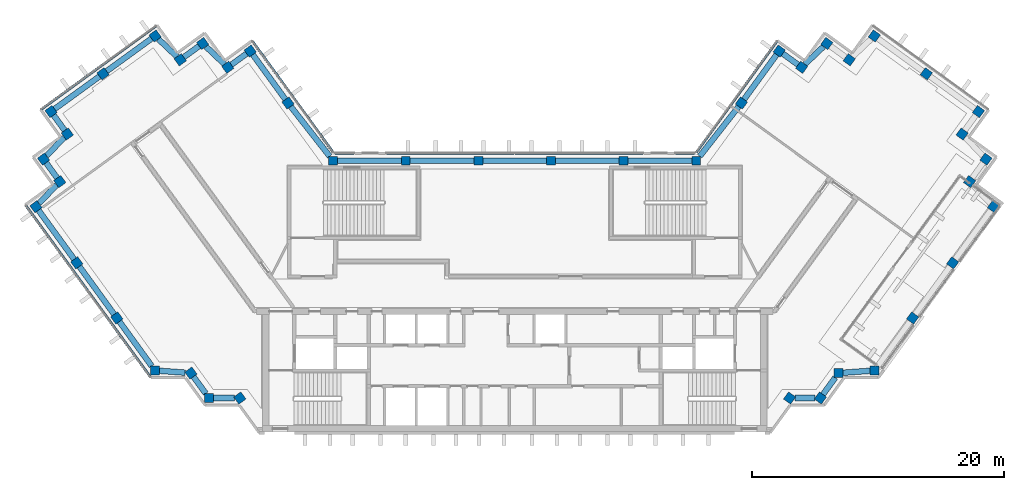
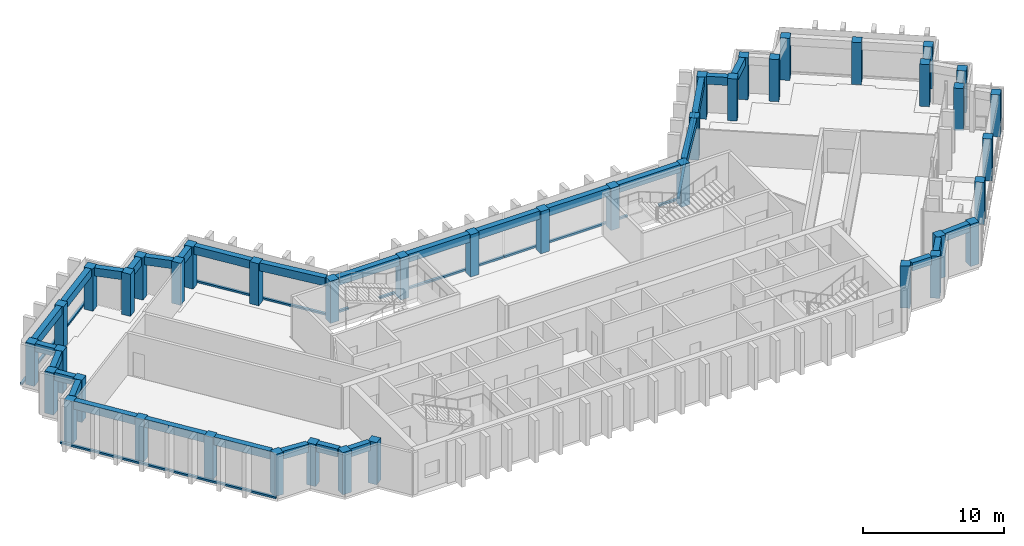
"""IFC4 building model written with IfcOpenShell, lengths in metres."""

import ifcopenshell
import ifcopenshell.guid

model = None  # the IFC model being written
_history = None  # IfcOwnerHistory: only IFC2X3 demands one
_inside = {}  # id of a spatial element -> (the spatial element, [elements in it])
_under = {}  # id of a project, library or spatial element -> (it, [spatial elements below it])
_declared = {}  # id of a project -> (the project, [libraries it declares])
_typed = {}  # id of a type object -> (the type object, [elements of that type])
_made_of = {}  # id of a material, layer set ... -> (it, [elements and type objects made of it])


def new_model(schema):
    """Start an empty IFC model of exactly this schema.

    Asked for "IFC4X3", IfcOpenShell would pick the latest addendum, in which some entities
    have other attributes; the version numbers below select the first issue.
    IFC2X3 requires an IfcOwnerHistory on every rooted entity: one is made here for all.
    """
    global model, _history
    if schema == "IFC4X3":
        model = ifcopenshell.file(schema_version=(4, 3, 0, 0))
    else:
        model = ifcopenshell.file(schema=schema)
    _inside.clear()
    _under.clear()
    _declared.clear()
    _typed.clear()
    _made_of.clear()
    _history = None
    if model.schema == "IFC2X3":
        org = make("IfcOrganization", Name="unknown")
        user = make(
            "IfcPersonAndOrganization",
            ThePerson=make("IfcPerson", FamilyName="unknown"),
            TheOrganization=org,
        )
        app = make(
            "IfcApplication",
            ApplicationDeveloper=org,
            Version="unknown",
            ApplicationFullName="unknown",
            ApplicationIdentifier="unknown",
        )
        _history = make(
            "IfcOwnerHistory",
            OwningUser=user,
            OwningApplication=app,
            ChangeAction="ADDED",
            CreationDate=0,
        )
    return model


def make(cls, **values):
    """One entity of the class cls with the attributes given. An attribute that is None is left unset."""
    return model.create_entity(
        cls, **{name: value for name, value in values.items() if value is not None}
    )


def rooted(cls, **values):
    """An entity with a GlobalId (a new one), such as an element, a storey or a relation."""
    return make(cls, GlobalId=ifcopenshell.guid.new(), OwnerHistory=_history, **values)


def si_unit(unit_type, name, prefix=None):
    """IfcSIUnit, for example si_unit("LENGTHUNIT", "METRE", prefix="MILLI")."""
    return make("IfcSIUnit", UnitType=unit_type, Prefix=prefix, Name=name)


def assignment(units):
    """IfcUnitAssignment: the units of a project."""
    return None if units is None else make("IfcUnitAssignment", Units=units)


def point(xyz):
    """IfcCartesianPoint."""
    return None if xyz is None else make("IfcCartesianPoint", Coordinates=xyz)


def direction(xyz):
    """IfcDirection."""
    return None if xyz is None else make("IfcDirection", DirectionRatios=xyz)


def frame(location, z_axis=None, x_axis=None):
    """IfcAxis2Placement3D, a coordinate frame: its origin and axes. An axis left out is left unset."""
    return make(
        "IfcAxis2Placement3D",
        Location=point(location),
        Axis=direction(z_axis),
        RefDirection=direction(x_axis),
    )


def frame_2d(location, x_axis=None):
    """IfcAxis2Placement2D, a coordinate frame in the plane: its origin and x axis."""
    return make(
        "IfcAxis2Placement2D", Location=point(location), RefDirection=direction(x_axis)
    )


def origin():
    """The frame at (0, 0, 0) with its axes left unset."""
    return frame((0.0, 0.0, 0.0))


def origin_2d():
    """The frame at (0, 0) in the plane with its x axis left unset."""
    return frame_2d((0.0, 0.0))


def place(relative_to, where):
    """IfcLocalPlacement: puts the frame where relative to a parent placement (None: the world)."""
    return make(
        "IfcLocalPlacement", PlacementRelTo=relative_to, RelativePlacement=where
    )


def context(
    kind, dimensions, precision=None, world=None, true_north=None, identifier=None
):
    """IfcGeometricRepresentationContext, for example the 3D "Model" context."""
    return make(
        "IfcGeometricRepresentationContext",
        ContextIdentifier=identifier,
        ContextType=kind,
        CoordinateSpaceDimension=dimensions,
        Precision=precision,
        WorldCoordinateSystem=world,
        TrueNorth=true_north,
    )


def subcontext(parent, identifier, kind, view, scale=None):
    """IfcGeometricRepresentationSubContext, for example "Body" below "Model"."""
    return make(
        "IfcGeometricRepresentationSubContext",
        ContextIdentifier=identifier,
        ContextType=kind,
        ParentContext=parent,
        TargetScale=scale,
        TargetView=view,
    )


def project(units=None, contexts=None):
    """IfcProject with its units and contexts."""
    return rooted(
        "IfcProject",
        Name="project",
        RepresentationContexts=contexts,
        UnitsInContext=assignment(units),
    )


def spatial(cls, under=None, at=None, **own):
    """A site, building, storey or space (cls), placed at a placement, below another one or the project."""
    s = rooted(cls, ObjectPlacement=at, **own)
    if under is not None:
        _under.setdefault(under.id(), (under, []))[1].append(s)
    return s


def profile(cls, at=None, kind="AREA", **sizes):
    """A parametric profile (cls). Its sizes go by their IFC names, for example OverallWidth=200.0."""
    return make(cls, ProfileType=kind, Position=at, **sizes)


def rectangle(**sizes):
    """IfcRectangleProfileDef."""
    return profile("IfcRectangleProfileDef", **sizes)


def extrude(swept, where, along, depth):
    """IfcExtrudedAreaSolid: the profile swept, set in the frame where, extruded along a direction by depth."""
    return make(
        "IfcExtrudedAreaSolid",
        SweptArea=swept,
        Position=where,
        ExtrudedDirection=direction(along),
        Depth=depth,
    )


def shape(context_of_items, identifier, shape_type, items):
    """IfcShapeRepresentation: the items that make up one representation, for example the "Body"."""
    return make(
        "IfcShapeRepresentation",
        ContextOfItems=context_of_items,
        RepresentationIdentifier=identifier,
        RepresentationType=shape_type,
        Items=items,
    )


def material(Name=None, Category=None):
    """IfcMaterial."""
    return make("IfcMaterial", Name=Name, Category=Category)


def material_profile(
    of_material, cross_section, Name=None, Category=None, Priority=None
):
    """IfcMaterialProfile: a cross section and its material."""
    return make(
        "IfcMaterialProfile",
        Name=Name,
        Material=of_material,
        Profile=cross_section,
        Priority=Priority,
        Category=Category,
    )


def profile_set(profiles, Name=None, composite=None):
    """IfcMaterialProfileSet."""
    return make(
        "IfcMaterialProfileSet",
        Name=Name,
        MaterialProfiles=profiles,
        CompositeProfile=composite,
    )


def made_of(thing, what):
    """Note that an element or type object is made of a material, layer set ...; save() writes the relation."""
    if what is not None:
        _made_of.setdefault(what.id(), (what, []))[1].append(thing)
    return thing


def type_object(cls, material=None, **own):
    """A type object (cls), such as IfcWallType, which elements share."""
    return made_of(rooted(cls, **own), material)


def element(
    cls,
    number,
    at=None,
    inside=None,
    cuts=None,
    type_object=None,
    material=None,
    context=None,
    identifier="Body",
    shape_type=None,
    held_by="IfcProductDefinitionShape",
    body=None,
    shapes=None,
    **own,
):
    """One element of the class cls, such as IfcWall. Its Tag is "e" and its number.

    at: its placement. inside: the storey or other place that contains it. cuts: it is an
    opening in that element (IfcRelVoidsElement). A single representation is given by context,
    identifier, shape_type and body (its items); several are given by shapes. held_by: the class
    of the entity that holds the representations. save() writes the other relations.
    """
    e = rooted(cls, Tag="e%d" % number, ObjectPlacement=at, **own)
    if body is not None:
        shapes = [shape(context, identifier, shape_type, body)]
    if shapes is not None:
        e.Representation = make(held_by, Representations=shapes)
    if inside is not None:
        _inside.setdefault(inside.id(), (inside, []))[1].append(e)
    if cuts is not None:
        rooted(
            "IfcRelVoidsElement", RelatingBuildingElement=cuts, RelatedOpeningElement=e
        )
    if type_object is not None:
        _typed.setdefault(type_object.id(), (type_object, []))[1].append(e)
    return made_of(e, material)


def aggregate(whole, parts):
    """IfcRelAggregates: a whole, such as a stair, and the parts it consists of."""
    return rooted("IfcRelAggregates", RelatingObject=whole, RelatedObjects=parts)


def save(model, path):
    """Write the relations noted so far, then the file.

    IfcRelAggregates (storeys below a building ...), IfcRelContainedInSpatialStructure (elements
    in a storey), IfcRelDefinesByType, IfcRelAssociatesMaterial and IfcRelDeclares: one each for
    every whole, place, type object, material and project.
    """
    for whole, parts in _under.values():
        aggregate(whole, parts)
    for where, things in _inside.values():
        rooted(
            "IfcRelContainedInSpatialStructure",
            RelatedElements=things,
            RelatingStructure=where,
        )
    for kind, things in _typed.values():
        rooted("IfcRelDefinesByType", RelatedObjects=things, RelatingType=kind)
    for what, things in _made_of.values():
        rooted("IfcRelAssociatesMaterial", RelatedObjects=things, RelatingMaterial=what)
    for by, libraries in _declared.values():
        rooted("IfcRelDeclares", RelatingContext=by, RelatedDefinitions=libraries)
    model.write(path)


model = new_model("IFC4")

# Units and contexts
model_context = context("Model", 3, precision=1e-05, world=origin(), true_north=direction((0.0, 1.0)))
body_context = subcontext(model_context, "Body", "Model", "MODEL_VIEW")
ifc_project = project(units=[si_unit("LENGTHUNIT", "METRE"), si_unit("AREAUNIT", "SQUARE_METRE"), si_unit("VOLUMEUNIT", "CUBIC_METRE"), si_unit("PLANEANGLEUNIT", "RADIAN"), si_unit("MASSUNIT", "GRAM", prefix="KILO")], contexts=[model_context])

# Site, building, storey
site_placement = place(None, origin())
site = spatial("IfcSite", under=ifc_project, at=site_placement, CompositionType="ELEMENT")
building_placement = place(site_placement, origin())
building = spatial("IfcBuilding", under=site, at=building_placement, Name="Quipu Civic Tower", CompositionType="ELEMENT")
storey_1_placement = place(building_placement, frame((0.0, 0.0, 315.0)))
storey_1 = spatial("IfcBuildingStorey", under=building, at=storey_1_placement, Name="L73", CompositionType="ELEMENT", Elevation=315.0)

# Columns
ifc_material_1 = material(Name="Concrete C40/50", Category="concrete")
ifc_material_profile_1 = material_profile(ifc_material_1, rectangle(XDim=0.699951171875, YDim=0.699951171875, at=origin_2d()), Name="RC700x700")
ifc_profile_set_1 = profile_set([ifc_material_profile_1], Name="Concrete C40/50")
column_type = type_object("IfcColumnType", Name="Perimeter column RC 700x700 C40/50", PredefinedType="COLUMN", material=ifc_profile_set_1)
for number, where, z_axis, x_axis, name in (
    (1, (-17.9736328125, 15.074951171875, 0.0), (0.0, 0.0, 1.0), (-0.587785252292, 0.809016994375, 0.0), "Column L73 W-IN-01"),
    (2, (-20.969970703125, 19.195068359375, 0.0), (0.0, 0.0, 1.0), (-0.587785252292, 0.809016994375, 0.0), "Column L73 T-Wi.0-W22"),
    (3, (-22.749267578125, 17.904296875, 0.0), (0.0, 0.0, 1.0), (-0.587785252292, 0.809016994375, 0.0), "Column L73 T-Wi.1-W22"),
    (4, (-24.739990234375, 19.794921875, 0.0), (0.0, 0.0, 1.0), (-0.587785252292, 0.809016994375, 0.0), "Column L73 T-Wi.2-W22"),
    (5, (-26.51904296875, 18.50048828125, 0.0), (0.0, 0.0, 1.0), (-0.587785252292, 0.809016994375, 0.0), "Column L73 T-Wi.3-W22"),
    (6, (-28.510009765625, 20.389892578125, 0.0), (0.0, 0.0, 1.0), (-0.809016994375, -0.587785252292, 0.0), "Column L73 T-Wi.4-W22"),
    (7, (-32.636962890625, 17.39306640625, 0.0), (0.0, 0.0, 1.0), (-0.809016994375, -0.587785252292, 0.0), "Column L73 TIP-W-01-W22"),
    (8, (-36.764892578125, 14.39501953125, 0.0), (0.0, 0.0, 1.0), (0.587785252292, -0.809016994375, 0.0), "Column L73 T-Wo.0-W22"),
    (9, (-35.470703125, 12.616455078125, 0.0), (0.0, 0.0, 1.0), (-0.809016994375, -0.587785252292, 0.0), "Column L73 T-Wo.1-W22"),
    (10, (-37.360107421875, 10.625, 0.0), (0.0, 0.0, 1.0), (0.587785252292, -0.809016994375, 0.0), "Column L73 T-Wo.2-W22"),
    (11, (-36.068115234375, 8.843994140625, 0.0), (0.0, 0.0, 1.0), (0.587785252292, -0.809016994375, 0.0), "Column L73 T-Wo.3-W22"),
    (12, (-37.9599609375, 6.85498046875, 0.0), (0.0, 0.0, 1.0), (0.587785252292, -0.809016994375, 0.0), "Column L73 T-Wo.4-W22"),
    (13, (-34.722412109375, 2.39990234375, 0.0), (0.0, 0.0, 1.0), (0.587785252292, -0.809016994375, 0.0), "Column L73 W-OUT-02"),
    (14, (-31.54833984375, -1.96875, 0.0), (0.0, 0.0, 1.0), (0.587785252292, -0.809016994375, 0.0), "Column L73 W-OUT-01"),
    (15, (-28.52490234375, -6.1298828125, 0.0), (0.0, 0.0, 1.0), (1.0, 0.0, 0.0), "Column L73 J-Wo.0"),
    (16, (-25.67431640625, -6.3369140625, 0.0), (0.0, 0.0, 1.0), (0.587785252292, -0.809016994375, 0.0), "Column L73 J-Wo.1"),
    (17, (-24.235107421875, -8.31494140625, 0.0), (0.0, 0.0, 1.0), (1.0, 0.0, 0.0), "Column L73 J-Wo.2"),
    (18, (-21.791748046875, -8.31494140625, 0.0), (0.0, 0.0, 1.0), (0.587785252292, -0.809016994375, 0.0), "Column L73 J-Wo.3"),
    (19, (21.791748046875, -8.31494140625, 0.0), (0.0, 0.0, 1.0), (0.587785252292, 0.809016994375, 0.0), "Column L73 J-Eo.1"),
    (20, (24.235107421875, -8.31494140625, 0.0), (0.0, 0.0, 1.0), (0.587785252292, 0.809016994375, 0.0), "Column L73 J-Eo.2"),
    (21, (25.67431640625, -6.3369140625, 0.0), (0.0, 0.0, 1.0), (1.0, 0.0, 0.0), "Column L73 J-Eo.3"),
    (22, (28.52490234375, -6.1298828125, 0.0), (0.0, 0.0, 1.0), (1.0, 0.0, 0.0), "Column L73 J-Eo.4"),
    (23, (31.54833984375, -1.96875, 0.0), (0.0, 0.0, 1.0), (0.587785252292, 0.809016994375, 0.0), "Column L73 E-OUT-01"),
    (24, (34.722412109375, 2.39990234375, 0.0), (0.0, 0.0, 1.0), (0.587785252292, 0.809016994375, 0.0), "Column L73 E-OUT-02"),
    (25, (37.9599609375, 6.85498046875, 0.0), (0.0, 0.0, 1.0), (0.587785252292, 0.809016994375, 0.0), "Column L73 T-Eo.0-E22"),
    (26, (36.068115234375, 8.843994140625, 0.0), (0.0, 0.0, 1.0), (0.587785252292, 0.809016994375, 0.0), "Column L73 T-Eo.1-E22"),
    (27, (37.360107421875, 10.625, 0.0), (0.0, 0.0, 1.0), (0.587785252292, 0.809016994375, 0.0), "Column L73 T-Eo.2-E22"),
    (28, (35.470703125, 12.616455078125, 0.0), (0.0, 0.0, 1.0), (-0.809016994375, 0.587785252292, 0.0), "Column L73 T-Eo.3-E22"),
    (29, (36.764892578125, 14.39501953125, 0.0), (0.0, 0.0, 1.0), (-0.809016994375, 0.587785252292, 0.0), "Column L73 T-Eo.4-E22"),
    (30, (32.636962890625, 17.39306640625, 0.0), (0.0, 0.0, 1.0), (-0.809016994375, 0.587785252292, 0.0), "Column L73 TIP-E-01-E22"),
    (31, (28.510009765625, 20.389892578125, 0.0), (0.0, 0.0, 1.0), (-0.587785252292, -0.809016994375, 0.0), "Column L73 T-Ei.0-E22"),
    (32, (26.51904296875, 18.50048828125, 0.0), (0.0, 0.0, 1.0), (-0.809016994375, 0.587785252292, 0.0), "Column L73 T-Ei.1-E22"),
    (33, (24.739990234375, 19.794921875, 0.0), (0.0, 0.0, 1.0), (-0.587785252292, -0.809016994375, 0.0), "Column L73 T-Ei.2-E22"),
    (34, (22.749267578125, 17.904296875, 0.0), (0.0, 0.0, 1.0), (-0.587785252292, -0.809016994375, 0.0), "Column L73 T-Ei.3-E22"),
    (35, (20.969970703125, 19.195068359375, 0.0), (0.0, 0.0, 1.0), (-0.587785252292, -0.809016994375, 0.0), "Column L73 T-Ei.4-E22"),
    (36, (17.9736328125, 15.074951171875, 0.0), (0.0, 0.0, 1.0), (-0.587785252292, -0.809016994375, 0.0), "Column L73 E-IN-01"),
    (37, (14.395263671875, 10.5, 0.0), (0.0, 0.0, 1.0), (-1.0, 0.0, 0.0), "Column L73 J-Ei.0"),
    (38, (8.63720703125, 10.5, 0.0), (0.0, 0.0, 1.0), (-1.0, 0.0, 0.0), "Column L73 FRONT-01"),
    (39, (2.87890625, 10.5, 0.0), (0.0, 0.0, 1.0), (-1.0, 0.0, 0.0), "Column L73 FRONT-02"),
    (40, (-2.87890625, 10.5, 0.0), (0.0, 0.0, 1.0), (-1.0, 0.0, 0.0), "Column L73 FRONT-03"),
    (41, (-8.63720703125, 10.5, 0.0), (0.0, 0.0, 1.0), (-1.0, 0.0, 0.0), "Column L73 FRONT-04"),
    (42, (-14.395263671875, 10.5, 0.0), (0.0, 0.0, 1.0), (-1.0, 0.0, 0.0), "Column L73 J-Wi.0"),
):
    element("IfcColumn", number, at=place(storey_1_placement, frame(where, z_axis=z_axis, x_axis=x_axis)), inside=storey_1, type_object=column_type, Name=name, PredefinedType="COLUMN", context=body_context, shape_type="SweptSolid", body=[
        extrude(rectangle(XDim=0.699951171875, YDim=0.699951171875, at=origin_2d()), origin(), (0.0, 0.0, 1.0), 3.64990234375),
    ])

# Beams
ifc_material_2 = material(Name="Concrete C50/60", Category="concrete")
ifc_material_profile_2 = material_profile(ifc_material_2, rectangle(XDim=0.449951171875, YDim=0.699951171875, at=origin_2d()), Name="RC450x700")
ifc_profile_set_2 = profile_set([ifc_material_profile_2], Name="Concrete C50/60")
beam_type = type_object("IfcBeamType", Name="Spandrel beam RC 450x700 C50/60", PredefinedType="SPANDREL", material=ifc_profile_set_2)
beam_1_placement = place(storey_1_placement, frame((-18.179443359375, 15.358154296875, 3.300048828125), z_axis=(-0.588201428764, 0.808714460857, 0.0), x_axis=(-0.808714460857, -0.588201428764, 0.0)))
element("IfcBeam", 43, at=beam_1_placement, inside=storey_1, type_object=beam_type, Name="Spandrel beam L73 W-IN-01 to T-Wi.0-W22", PredefinedType="SPANDREL", context=body_context, shape_type="SweptSolid", body=[
    extrude(rectangle(XDim=0.449951171875, YDim=0.699951171875, at=origin_2d()), origin(), (0.0, 0.0, 1.0), 4.394287109375),
])
beam_2_placement = place(storey_1_placement, frame((-21.25341796875, 18.989501953125, 3.300048828125), z_axis=(-0.809461336076, -0.587173181776, 0.0), x_axis=(0.587173181776, -0.809461336076, 0.0)))
element("IfcBeam", 44, at=beam_2_placement, inside=storey_1, type_object=beam_type, Name="Spandrel beam L73 T-Wi.0-W22 to T-Wi.1-W22", PredefinedType="SPANDREL", context=body_context, shape_type="SweptSolid", body=[
    extrude(rectangle(XDim=0.449951171875, YDim=0.699951171875, at=origin_2d()), origin(), (0.0, 0.0, 1.0), 1.498046875),
])
beam_3_placement = place(storey_1_placement, frame((-23.00732421875, 18.1494140625, 3.300048828125), z_axis=(-0.72511931772, 0.6886232461, 0.0), x_axis=(-0.6886232461, -0.72511931772, 0.0)))
element("IfcBeam", 45, at=beam_3_placement, inside=storey_1, type_object=beam_type, Name="Spandrel beam L73 T-Wi.1-W22 to T-Wi.2-W22", PredefinedType="SPANDREL", context=body_context, shape_type="SweptSolid", body=[
    extrude(rectangle(XDim=0.449951171875, YDim=0.699951171875, at=origin_2d()), origin(), (0.0, 0.0, 1.0), 2.03369140625),
])
beam_4_placement = place(storey_1_placement, frame((-25.02294921875, 19.589111328125, 3.300048828125), z_axis=(-0.808644589435, -0.588297482553, 0.0), x_axis=(0.588297482553, -0.808644589435, 0.0)))
element("IfcBeam", 46, at=beam_4_placement, inside=storey_1, type_object=beam_type, Name="Spandrel beam L73 T-Wi.2-W22 to T-Wi.3-W22", PredefinedType="SPANDREL", context=body_context, shape_type="SweptSolid", body=[
    extrude(rectangle(XDim=0.449951171875, YDim=0.699951171875, at=origin_2d()), origin(), (0.0, 0.0, 1.0), 1.500244140625),
])
beam_5_placement = place(storey_1_placement, frame((-26.777099609375, 18.74560546875, 3.300048828125), z_axis=(-0.725359138958, 0.688370626574, 0.0), x_axis=(-0.688370626574, -0.725359138958, 0.0)))
element("IfcBeam", 47, at=beam_5_placement, inside=storey_1, type_object=beam_type, Name="Spandrel beam L73 T-Wi.3-W22 to T-Wi.4-W22", PredefinedType="SPANDREL", context=body_context, shape_type="SweptSolid", body=[
    extrude(rectangle(XDim=0.449951171875, YDim=0.699951171875, at=origin_2d()), origin(), (0.0, 0.0, 1.0), 2.032958984375),
])
beam_6_placement = place(storey_1_placement, frame((-28.793212890625, 20.184326171875, 3.300048828125), z_axis=(-0.809146152767, -0.587607439931, 0.0), x_axis=(0.587607439931, -0.809146152767, 0.0)))
element("IfcBeam", 48, at=beam_6_placement, inside=storey_1, type_object=beam_type, Name="Spandrel beam L73 T-Wi.4-W22 to TIP-W-01-W22", PredefinedType="SPANDREL", context=body_context, shape_type="SweptSolid", body=[
    extrude(rectangle(XDim=0.449951171875, YDim=0.699951171875, at=origin_2d()), origin(), (0.0, 0.0, 1.0), 4.400390625),
])
beam_7_placement = place(storey_1_placement, frame((-32.920166015625, 17.187255859375, 3.300048828125), z_axis=(-0.809117270763, -0.587647208921, 0.0), x_axis=(0.587647208921, -0.809117270763, 0.0)))
element("IfcBeam", 49, at=beam_7_placement, inside=storey_1, type_object=beam_type, Name="Spandrel beam L73 TIP-W-01-W22 to T-Wo.0-W22", PredefinedType="SPANDREL", context=body_context, shape_type="SweptSolid", body=[
    extrude(rectangle(XDim=0.449951171875, YDim=0.699951171875, at=origin_2d()), origin(), (0.0, 0.0, 1.0), 4.40185546875),
])
beam_8_placement = place(storey_1_placement, frame((-36.55908203125, 14.112060546875, 3.300048828125), z_axis=(0.588345920092, -0.808609348394, 0.0), x_axis=(0.808609348394, 0.588345920092, 0.0)))
element("IfcBeam", 50, at=beam_8_placement, inside=storey_1, type_object=beam_type, Name="Spandrel beam L73 T-Wo.0-W22 to T-Wo.1-W22", PredefinedType="SPANDREL", context=body_context, shape_type="SweptSolid", body=[
    extrude(rectangle(XDim=0.449951171875, YDim=0.699951171875, at=origin_2d()), origin(), (0.0, 0.0, 1.0), 1.499755859375),
])
beam_9_placement = place(storey_1_placement, frame((-35.7158203125, 12.358154296875, 3.300048828125), z_axis=(-0.688247466856, -0.725475998477, 0.0), x_axis=(0.725475998477, -0.688247466856, 0.0)))
element("IfcBeam", 51, at=beam_9_placement, inside=storey_1, type_object=beam_type, Name="Spandrel beam L73 T-Wo.1-W22 to T-Wo.2-W22", PredefinedType="SPANDREL", context=body_context, shape_type="SweptSolid", body=[
    extrude(rectangle(XDim=0.449951171875, YDim=0.699951171875, at=origin_2d()), origin(), (0.0, 0.0, 1.0), 2.032958984375),
])
beam_10_placement = place(storey_1_placement, frame((-37.154541015625, 10.341796875, 3.300048828125), z_axis=(0.587164895097, -0.809467347066, 0.0), x_axis=(0.809467347066, 0.587164895097, 0.0)))
element("IfcBeam", 52, at=beam_10_placement, inside=storey_1, type_object=beam_type, Name="Spandrel beam L73 T-Wo.2-W22 to T-Wo.3-W22", PredefinedType="SPANDREL", context=body_context, shape_type="SweptSolid", body=[
    extrude(rectangle(XDim=0.449951171875, YDim=0.699951171875, at=origin_2d()), origin(), (0.0, 0.0, 1.0), 1.500244140625),
])
beam_11_placement = place(storey_1_placement, frame((-36.3134765625, 8.586181640625, 3.300048828125), z_axis=(-0.689175330605, -0.724594620244, 0.0), x_axis=(0.724594620244, -0.689175330605, 0.0)))
element("IfcBeam", 53, at=beam_11_placement, inside=storey_1, type_object=beam_type, Name="Spandrel beam L73 T-Wo.3-W22 to T-Wo.4-W22", PredefinedType="SPANDREL", context=body_context, shape_type="SweptSolid", body=[
    extrude(rectangle(XDim=0.449951171875, YDim=0.699951171875, at=origin_2d()), origin(), (0.0, 0.0, 1.0), 2.033447265625),
])
beam_12_placement = place(storey_1_placement, frame((-37.754150390625, 6.57177734375, 3.300048828125), z_axis=(0.587905928359, -0.808929304328, 0.0), x_axis=(0.808929304328, 0.587905928359, 0.0)))
element("IfcBeam", 54, at=beam_12_placement, inside=storey_1, type_object=beam_type, Name="Spandrel beam L73 T-Wo.4-W22 to W-OUT-02", PredefinedType="SPANDREL", context=body_context, shape_type="SweptSolid", body=[
    extrude(rectangle(XDim=0.449951171875, YDim=0.699951171875, at=origin_2d()), origin(), (0.0, 0.0, 1.0), 4.80712890625),
])
beam_13_placement = place(storey_1_placement, frame((-34.5166015625, 2.116943359375, 3.300048828125), z_axis=(0.587788656305, -0.809014521204, 0.0), x_axis=(0.809014521204, 0.587788656305, 0.0)))
element("IfcBeam", 55, at=beam_13_placement, inside=storey_1, type_object=beam_type, Name="Spandrel beam L73 W-OUT-02 to W-OUT-01", PredefinedType="SPANDREL", context=body_context, shape_type="SweptSolid", body=[
    extrude(rectangle(XDim=0.449951171875, YDim=0.699951171875, at=origin_2d()), origin(), (0.0, 0.0, 1.0), 4.7001953125),
])
beam_14_placement = place(storey_1_placement, frame((-31.342529296875, -2.251953125, 3.300048828125), z_axis=(0.58777550284, -0.809024077677, 0.0), x_axis=(0.809024077677, 0.58777550284, 0.0)))
element("IfcBeam", 56, at=beam_14_placement, inside=storey_1, type_object=beam_type, Name="Spandrel beam L73 W-OUT-01 to J-Wo.0", PredefinedType="SPANDREL", context=body_context, shape_type="SweptSolid", body=[
    extrude(rectangle(XDim=0.449951171875, YDim=0.699951171875, at=origin_2d()), origin(), (0.0, 0.0, 1.0), 4.36083984375),
])
beam_15_placement = place(storey_1_placement, frame((-28.175048828125, -6.155517578125, 3.300048828125), z_axis=(0.99737333325, -0.072432272649, 0.0), x_axis=(0.072432272649, 0.99737333325, 0.0)))
element("IfcBeam", 57, at=beam_15_placement, inside=storey_1, type_object=beam_type, Name="Spandrel beam L73 J-Wo.0 to J-Wo.1", PredefinedType="SPANDREL", context=body_context, shape_type="SweptSolid", body=[
    extrude(rectangle(XDim=0.449951171875, YDim=0.699951171875, at=origin_2d()), origin(), (0.0, 0.0, 1.0), 2.04931640625),
])
beam_16_placement = place(storey_1_placement, frame((-25.468505859375, -6.6201171875, 3.300048828125), z_axis=(0.588407300614, -0.80856468423, 0.0), x_axis=(0.80856468423, 0.588407300614, 0.0)))
element("IfcBeam", 58, at=beam_16_placement, inside=storey_1, type_object=beam_type, Name="Spandrel beam L73 J-Wo.1 to J-Wo.2", PredefinedType="SPANDREL", context=body_context, shape_type="SweptSolid", body=[
    extrude(rectangle(XDim=0.449951171875, YDim=0.699951171875, at=origin_2d()), origin(), (0.0, 0.0, 1.0), 1.663330078125),
])
beam_17_placement = place(storey_1_placement, frame((-23.885009765625, -8.31494140625, 3.300048828125), z_axis=(1.0, 0.0, 0.0), x_axis=(0.0, 1.0, 0.0)))
element("IfcBeam", 59, at=beam_17_placement, inside=storey_1, type_object=beam_type, Name="Spandrel beam L73 J-Wo.2 to J-Wo.3", PredefinedType="SPANDREL", context=body_context, shape_type="SweptSolid", body=[
    extrude(rectangle(XDim=0.449951171875, YDim=0.699951171875, at=origin_2d()), origin(), (0.0, 0.0, 1.0), 1.66064453125),
])
beam_18_placement = place(storey_1_placement, frame((22.224365234375, -8.31494140625, 3.300048828125), z_axis=(1.0, 0.0, 0.0), x_axis=(0.0, 1.0, 0.0)))
element("IfcBeam", 60, at=beam_18_placement, inside=storey_1, type_object=beam_type, Name="Spandrel beam L73 J-Eo.1 to J-Eo.2", PredefinedType="SPANDREL", context=body_context, shape_type="SweptSolid", body=[
    extrude(rectangle(XDim=0.449951171875, YDim=0.699951171875, at=origin_2d()), origin(), (0.0, 0.0, 1.0), 1.578125),
])
beam_19_placement = place(storey_1_placement, frame((24.44091796875, -8.031982421875, 3.300048828125), z_axis=(0.588407300614, 0.80856468423, 0.0), x_axis=(-0.80856468423, 0.588407300614, 0.0)))
element("IfcBeam", 61, at=beam_19_placement, inside=storey_1, type_object=beam_type, Name="Spandrel beam L73 J-Eo.2 to J-Eo.3", PredefinedType="SPANDREL", context=body_context, shape_type="SweptSolid", body=[
    extrude(rectangle(XDim=0.449951171875, YDim=0.699951171875, at=origin_2d()), origin(), (0.0, 0.0, 1.0), 1.663330078125),
])
beam_20_placement = place(storey_1_placement, frame((26.0244140625, -6.3115234375, 3.300048828125), z_axis=(0.997379352029, 0.072349347934, 0.0), x_axis=(-0.072349347934, 0.997379352029, 0.0)))
element("IfcBeam", 62, at=beam_20_placement, inside=storey_1, type_object=beam_type, Name="Spandrel beam L73 J-Eo.3 to J-Eo.4", PredefinedType="SPANDREL", context=body_context, shape_type="SweptSolid", body=[
    extrude(rectangle(XDim=0.449951171875, YDim=0.699951171875, at=origin_2d()), origin(), (0.0, 0.0, 1.0), 2.15625),
])
beam_21_placement = place(storey_1_placement, frame((24.48193359375, 19.5498046875, 3.300048828125), z_axis=(-0.72511931772, -0.6886232461, 0.0), x_axis=(0.6886232461, -0.72511931772, 0.0)))
element("IfcBeam", 63, at=beam_21_placement, inside=storey_1, type_object=beam_type, Name="Spandrel beam L73 T-Ei.2-E22 to T-Ei.3-E22", PredefinedType="SPANDREL", context=body_context, shape_type="SweptSolid", body=[
    extrude(rectangle(XDim=0.449951171875, YDim=0.699951171875, at=origin_2d()), origin(), (0.0, 0.0, 1.0), 2.03369140625),
])
beam_22_placement = place(storey_1_placement, frame((22.466064453125, 18.10986328125, 3.300048828125), z_axis=(-0.809461336076, 0.587173181776, 0.0), x_axis=(-0.587173181776, -0.809461336076, 0.0)))
element("IfcBeam", 64, at=beam_22_placement, inside=storey_1, type_object=beam_type, Name="Spandrel beam L73 T-Ei.3-E22 to T-Ei.4-E22", PredefinedType="SPANDREL", context=body_context, shape_type="SweptSolid", body=[
    extrude(rectangle(XDim=0.449951171875, YDim=0.699951171875, at=origin_2d()), origin(), (0.0, 0.0, 1.0), 1.498046875),
])
beam_23_placement = place(storey_1_placement, frame((20.76416015625, 18.911865234375, 3.300048828125), z_axis=(-0.588201428764, -0.808714460857, 0.0), x_axis=(0.808714460857, -0.588201428764, 0.0)))
element("IfcBeam", 65, at=beam_23_placement, inside=storey_1, type_object=beam_type, Name="Spandrel beam L73 T-Ei.4-E22 to E-IN-01", PredefinedType="SPANDREL", context=body_context, shape_type="SweptSolid", body=[
    extrude(rectangle(XDim=0.449951171875, YDim=0.699951171875, at=origin_2d()), origin(), (0.0, 0.0, 1.0), 4.394287109375),
])
beam_24_placement = place(storey_1_placement, frame((17.7578125, 14.799072265625, 3.300048828125), z_axis=(-0.616106034519, -0.787663223865, 0.0), x_axis=(0.787663223865, -0.616106034519, 0.0)))
element("IfcBeam", 66, at=beam_24_placement, inside=storey_1, type_object=beam_type, Name="Spandrel beam L73 E-IN-01 to J-Ei.0", PredefinedType="SPANDREL", context=body_context, shape_type="SweptSolid", body=[
    extrude(rectangle(XDim=0.449951171875, YDim=0.699951171875, at=origin_2d()), origin(), (0.0, 0.0, 1.0), 5.013427734375),
])
for number, where, z_axis, x_axis, name in (
    (67, (14.045166015625, 10.5, 3.300048828125), (-1.0, 0.0, 0.0), (0.0, -1.0, 0.0), "Spandrel beam L73 J-Ei.0 to FRONT-01"),
    (68, (8.287109375, 10.5, 3.300048828125), (-1.0, 0.0, 0.0), (0.0, -1.0, 0.0), "Spandrel beam L73 FRONT-01 to FRONT-02"),
    (69, (2.529052734375, 10.5, 3.300048828125), (-1.0, 0.0, 0.0), (0.0, -1.0, 0.0), "Spandrel beam L73 FRONT-02 to FRONT-03"),
    (70, (-3.22900390625, 10.5, 3.300048828125), (-1.0, 0.0, 0.0), (0.0, -1.0, 0.0), "Spandrel beam L73 FRONT-03 to FRONT-04"),
    (71, (-8.987060546875, 10.5, 3.300048828125), (-1.0, 0.0, 0.0), (0.0, -1.0, 0.0), "Spandrel beam L73 FRONT-04 to J-Wi.0"),
):
    element("IfcBeam", number, at=place(storey_1_placement, frame(where, z_axis=z_axis, x_axis=x_axis)), inside=storey_1, type_object=beam_type, Name=name, PredefinedType="SPANDREL", context=body_context, shape_type="SweptSolid", body=[
        extrude(rectangle(XDim=0.449951171875, YDim=0.699951171875, at=origin_2d()), origin(), (0.0, 0.0, 1.0), 5.05810546875),
    ])
beam_25_placement = place(storey_1_placement, frame((-14.6689453125, 10.85009765625, 3.300048828125), z_axis=(-0.616106034519, 0.787663223865, 0.0), x_axis=(-0.787663223865, -0.616106034519, 0.0)))
element("IfcBeam", 72, at=beam_25_placement, inside=storey_1, type_object=beam_type, Name="Spandrel beam L73 J-Wi.0 to W-IN-01", PredefinedType="SPANDREL", context=body_context, shape_type="SweptSolid", body=[
    extrude(rectangle(XDim=0.449951171875, YDim=0.699951171875, at=origin_2d()), origin(), (0.0, 0.0, 1.0), 5.013427734375),
])

# Storey
storey_2_placement = place(building_placement, frame((0.0, 0.0, 311.0)))
storey_2 = spatial("IfcBuildingStorey", under=building, at=storey_2_placement, Name="L72", CompositionType="ELEMENT", Elevation=311.0)

# Curtain wall, member
ifc_material_3 = material(Name="Insulated glass unit", Category="glass")
curtain_wall_type = type_object("IfcCurtainWallType", Name="Office curtain wall CW1", PredefinedType="NOTDEFINED", material=ifc_material_3)
curtain_wall_1_placement = place(storey_2_placement, origin())
curtain_wall_1 = element("IfcCurtainWall", 73, at=curtain_wall_1_placement, inside=storey_2, type_object=curtain_wall_type, Name="Office curtain wall CW1 L71 run 11", PredefinedType="NOTDEFINED")
ifc_material_4 = material(Name="Anodised aluminium", Category="aluminium")
ifc_material_profile_3 = material_profile(ifc_material_4, rectangle(XDim=0.199951171875, YDim=0.159912109375, at=origin_2d()), Name="RECT 200x160")
ifc_profile_set_3 = profile_set([ifc_material_profile_3], Name="Anodised aluminium")
member_type = type_object("IfcMemberType", Name="Transom CW1", PredefinedType="USERDEFINED", material=ifc_profile_set_3)
member_1_placement = place(storey_1_placement, frame((20.788818359375, 19.97021484375, 0.080078125), z_axis=(-0.587796859727, -0.809008560953, 0.0), x_axis=(0.809008560953, -0.587796859727, 0.0)))
member_1 = element("IfcMember", 74, at=member_1_placement, inside=storey_1, type_object=member_type, Name="CW1 transom 1.3", ObjectType="TRANSOM", PredefinedType="USERDEFINED", context=body_context, shape_type="SweptSolid", body=[
    extrude(rectangle(XDim=0.199951171875, YDim=0.159912109375, at=origin_2d()), origin(), (0.0, 0.0, 1.0), 10.88427734375),
])
aggregate(curtain_wall_1, [member_1])

curtain_wall_2_placement = place(storey_2_placement, origin())
curtain_wall_2 = element("IfcCurtainWall", 75, at=curtain_wall_2_placement, inside=storey_2, type_object=curtain_wall_type, Name="Office curtain wall CW1 L71 run 12", PredefinedType="NOTDEFINED")
member_2_placement = place(storey_1_placement, frame((14.26416015625, 11.10009765625, 0.080078125), z_axis=(-1.0, 0.0, 0.0), x_axis=(0.0, -1.0, 0.0)))
member_2 = element("IfcMember", 76, at=member_2_placement, inside=storey_1, type_object=member_type, Name="CW1 transom 1.3", ObjectType="TRANSOM", PredefinedType="USERDEFINED", context=body_context, shape_type="SweptSolid", body=[
    extrude(rectangle(XDim=0.199951171875, YDim=0.159912109375, at=origin_2d()), origin(), (0.0, 0.0, 1.0), 1.529052734375),
])
aggregate(curtain_wall_2, [member_2])

# Curtain wall, members
curtain_wall_3_placement = place(storey_2_placement, origin())
curtain_wall_3 = element("IfcCurtainWall", 77, at=curtain_wall_3_placement, inside=storey_2, type_object=curtain_wall_type, Name="Office curtain wall CW1 L71 run 14", PredefinedType="NOTDEFINED")
member_3_placement = place(storey_1_placement, frame((10.18359375, 11.10009765625, 0.080078125), z_axis=(-1.0, 0.0, 0.0), x_axis=(0.0, -1.0, 0.0)))
member_3 = element("IfcMember", 78, at=member_3_placement, inside=storey_1, type_object=member_type, Name="CW1 transom 1.3", ObjectType="TRANSOM", PredefinedType="USERDEFINED", context=body_context, shape_type="SweptSolid", body=[
    extrude(rectangle(XDim=0.199951171875, YDim=0.159912109375, at=origin_2d()), origin(), (0.0, 0.0, 1.0), 10.1435546875),
])
member_4_placement = place(storey_1_placement, frame((-0.0400390625, 11.10009765625, 0.080078125), z_axis=(-1.0, 0.0, 0.0), x_axis=(0.0, -1.0, 0.0)))
member_4 = element("IfcMember", 79, at=member_4_placement, inside=storey_1, type_object=member_type, Name="CW1 transom 2.3", ObjectType="TRANSOM", PredefinedType="USERDEFINED", context=body_context, shape_type="SweptSolid", body=[
    extrude(rectangle(XDim=0.199951171875, YDim=0.159912109375, at=origin_2d()), origin(), (0.0, 0.0, 1.0), 10.1435546875),
])
aggregate(curtain_wall_3, [member_3, member_4])

# Curtain wall, member
curtain_wall_4_placement = place(storey_2_placement, origin())
curtain_wall_4 = element("IfcCurtainWall", 80, at=curtain_wall_4_placement, inside=storey_2, type_object=curtain_wall_type, Name="Office curtain wall CW1 L71 run 16", PredefinedType="NOTDEFINED")
member_5_placement = place(storey_1_placement, frame((-12.735107421875, 11.10009765625, 0.080078125), z_axis=(-1.0, 0.0, 0.0), x_axis=(0.0, -1.0, 0.0)))
member_5 = element("IfcMember", 81, at=member_5_placement, inside=storey_1, type_object=member_type, Name="CW1 transom 1.3", ObjectType="TRANSOM", PredefinedType="USERDEFINED", context=body_context, shape_type="SweptSolid", body=[
    extrude(rectangle(XDim=0.199951171875, YDim=0.159912109375, at=origin_2d()), origin(), (0.0, 0.0, 1.0), 1.529052734375),
])
aggregate(curtain_wall_4, [member_5])

curtain_wall_5_placement = place(storey_2_placement, origin())
curtain_wall_5 = element("IfcCurtainWall", 82, at=curtain_wall_5_placement, inside=storey_2, type_object=curtain_wall_type, Name="Office curtain wall CW1 L71 run 17", PredefinedType="NOTDEFINED")
member_6_placement = place(storey_1_placement, frame((-14.39111328125, 11.164794921875, 0.080078125), z_axis=(-0.587796859727, 0.809008560953, 0.0), x_axis=(-0.809008560953, -0.587796859727, 0.0)))
member_6 = element("IfcMember", 83, at=member_6_placement, inside=storey_1, type_object=member_type, Name="CW1 transom 1.3", ObjectType="TRANSOM", PredefinedType="USERDEFINED", context=body_context, shape_type="SweptSolid", body=[
    extrude(rectangle(XDim=0.199951171875, YDim=0.159912109375, at=origin_2d()), origin(), (0.0, 0.0, 1.0), 10.88427734375),
])
aggregate(curtain_wall_5, [member_6])

curtain_wall_6_placement = place(storey_2_placement, origin())
curtain_wall_6 = element("IfcCurtainWall", 84, at=curtain_wall_6_placement, inside=storey_2, type_object=curtain_wall_type, Name="Office curtain wall CW1 L71 run 22", PredefinedType="NOTDEFINED")
member_7_placement = place(storey_1_placement, frame((-28.443359375, 21.1826171875, 0.080078125), z_axis=(-0.809022463805, -0.587777724194, 0.0), x_axis=(0.587777724194, -0.809022463805, 0.0)))
member_7 = element("IfcMember", 85, at=member_7_placement, inside=storey_1, type_object=member_type, Name="CW1 transom 1.3", ObjectType="TRANSOM", PredefinedType="USERDEFINED", context=body_context, shape_type="SweptSolid", body=[
    extrude(rectangle(XDim=0.199951171875, YDim=0.159912109375, at=origin_2d()), origin(), (0.0, 0.0, 1.0), 11.240234375),
])
aggregate(curtain_wall_6, [member_7])

# Curtain wall, members
curtain_wall_7_placement = place(storey_2_placement, origin())
curtain_wall_7 = element("IfcCurtainWall", 86, at=curtain_wall_7_placement, inside=storey_2, type_object=curtain_wall_type, Name="Office curtain wall CW1 L71 run 27", PredefinedType="NOTDEFINED")
member_8_placement = place(storey_1_placement, frame((-38.7490234375, 6.92138671875, 0.080078125), z_axis=(0.587779098815, -0.809021465102, 0.0), x_axis=(0.809021465102, 0.587779098815, 0.0)))
member_8 = element("IfcMember", 87, at=member_8_placement, inside=storey_1, type_object=member_type, Name="CW1 transom 1.3", ObjectType="TRANSOM", PredefinedType="USERDEFINED", context=body_context, shape_type="SweptSolid", body=[
    extrude(rectangle(XDim=0.199951171875, YDim=0.159912109375, at=origin_2d()), origin(), (0.0, 0.0, 1.0), 8.35791015625),
])
member_9_placement = place(storey_1_placement, frame((-33.78955078125, 0.094970703125, 0.080078125), z_axis=(0.587812107925, -0.808997481935, 0.0), x_axis=(0.808997481935, 0.587812107925, 0.0)))
member_9 = element("IfcMember", 88, at=member_9_placement, inside=storey_1, type_object=member_type, Name="CW1 transom 2.3", ObjectType="TRANSOM", PredefinedType="USERDEFINED", context=body_context, shape_type="SweptSolid", body=[
    extrude(rectangle(XDim=0.199951171875, YDim=0.159912109375, at=origin_2d()), origin(), (0.0, 0.0, 1.0), 8.35791015625),
])
aggregate(curtain_wall_7, [member_8, member_9])

save(model, "model.ifc")
